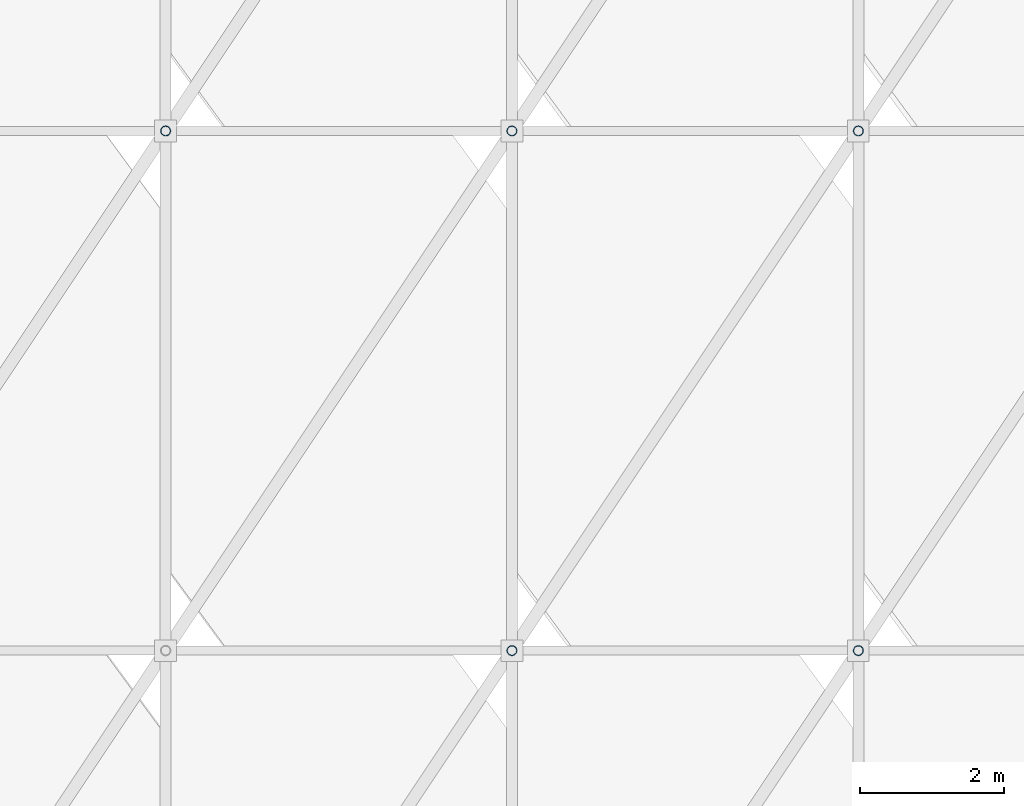
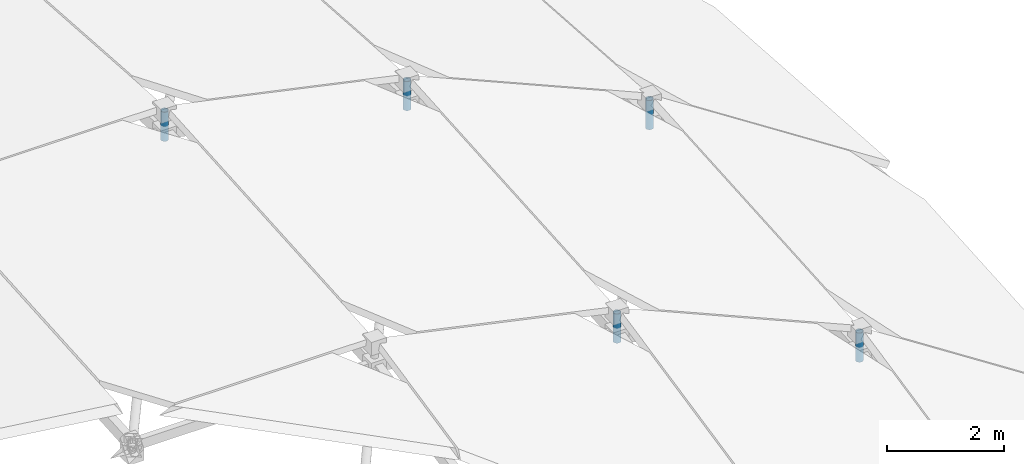
# One storey, part 4 of 9: 5 members.
"""IFC4 building model written with IfcOpenShell, lengths in metres."""

from ifc_helpers import new_model, si_unit, direction, frame, origin, origin_2d, place, context, subcontext, project, spatial, hollow_circle, extrude, material, material_profile, profile_set, type_object, element, save


model = new_model("IFC4")

# Units and contexts
model_context = context("Model", 3, precision=1e-05, world=origin(), true_north=direction((0.0, 1.0)))
body_context = subcontext(model_context, "Body", "Model", "MODEL_VIEW")
ifc_project = project(units=[si_unit("LENGTHUNIT", "METRE"), si_unit("AREAUNIT", "SQUARE_METRE"), si_unit("VOLUMEUNIT", "CUBIC_METRE"), si_unit("PLANEANGLEUNIT", "RADIAN"), si_unit("MASSUNIT", "GRAM", prefix="KILO")], contexts=[model_context])

# Site, building, storey
site_placement = place(None, origin())
site = spatial("IfcSite", under=ifc_project, at=site_placement, CompositionType="ELEMENT")
building_placement = place(site_placement, origin())
building = spatial("IfcBuilding", under=site, at=building_placement, Name="Kahlenmark Community Centre", CompositionType="ELEMENT")
storey_placement = place(building_placement, frame((0.0, 0.0, 25.199951171875)))
storey = spatial("IfcBuildingStorey", under=building, at=storey_placement, Name="RF", CompositionType="ELEMENT", Elevation=25.199951171875)

# Members
ifc_material = material(Name="Steel S355", Category="steel")
ifc_material_profile = material_profile(ifc_material, hollow_circle(Radius=0.06982421875, WallThickness=0.00634765625, at=origin_2d()), Name="CHS 139.7x6.3")
ifc_profile_set = profile_set([ifc_material_profile], Name="Steel S355")
member_type = type_object("IfcMemberType", Name="MT-STRUT-CHS139.7x6.3", PredefinedType="STRUT", material=ifc_profile_set)
member_placement = place(storey_placement, frame((31.60009765625, 23.199951171875, 0.919677734375), z_axis=(0.0, 0.0, 1.0), x_axis=(1.0, 0.0, 0.0)))
element("IfcMember", 1, at=member_placement, inside=storey, type_object=member_type, Name="RF strut GS-SEAT", PredefinedType="STRUT", context=body_context, shape_type="SweptSolid", body=[
    extrude(hollow_circle(Radius=0.06982421875, WallThickness=0.00634765625, at=origin_2d()), origin(), (0.0, 0.0, 1.0), 0.60986328125),
])
for number, where, z_axis, x_axis, name in (
    (2, (36.39990234375, 16.0, -0.62060546875), (0.0, 0.0, 1.0), (1.0, 0.0, 0.0), "RF strut GS-SEAT"),
    (3, (36.39990234375, 23.199951171875, -0.119873046875), (0.0, 0.0, 1.0), (1.0, 0.0, 0.0), "RF strut GS-SEAT"),
):
    element("IfcMember", number, at=place(storey_placement, frame(where, z_axis=z_axis, x_axis=x_axis)), inside=storey, type_object=member_type, Name=name, PredefinedType="STRUT", context=body_context, shape_type="SweptSolid", body=[
        extrude(hollow_circle(Radius=0.06982421875, WallThickness=0.00634765625, at=origin_2d()), origin(), (0.0, 0.0, 1.0), 0.610107421875),
    ])
for number, where, z_axis, x_axis, name in (
    (4, (41.199951171875, 16.0, -2.69921875), (0.0, 0.0, 1.0), (1.0, 0.0, 0.0), "RF strut GS-SEAT"),
    (5, (41.199951171875, 23.199951171875, -2.1982421875), (0.0, 0.0, 1.0), (1.0, 0.0, 0.0), "RF strut GS-SEAT"),
):
    element("IfcMember", number, at=place(storey_placement, frame(where, z_axis=z_axis, x_axis=x_axis)), inside=storey, type_object=member_type, Name=name, PredefinedType="STRUT", context=body_context, shape_type="SweptSolid", body=[
        extrude(hollow_circle(Radius=0.06982421875, WallThickness=0.00634765625, at=origin_2d()), origin(), (0.0, 0.0, 1.0), 0.60986328125),
    ])

save(model, "model.ifc")
